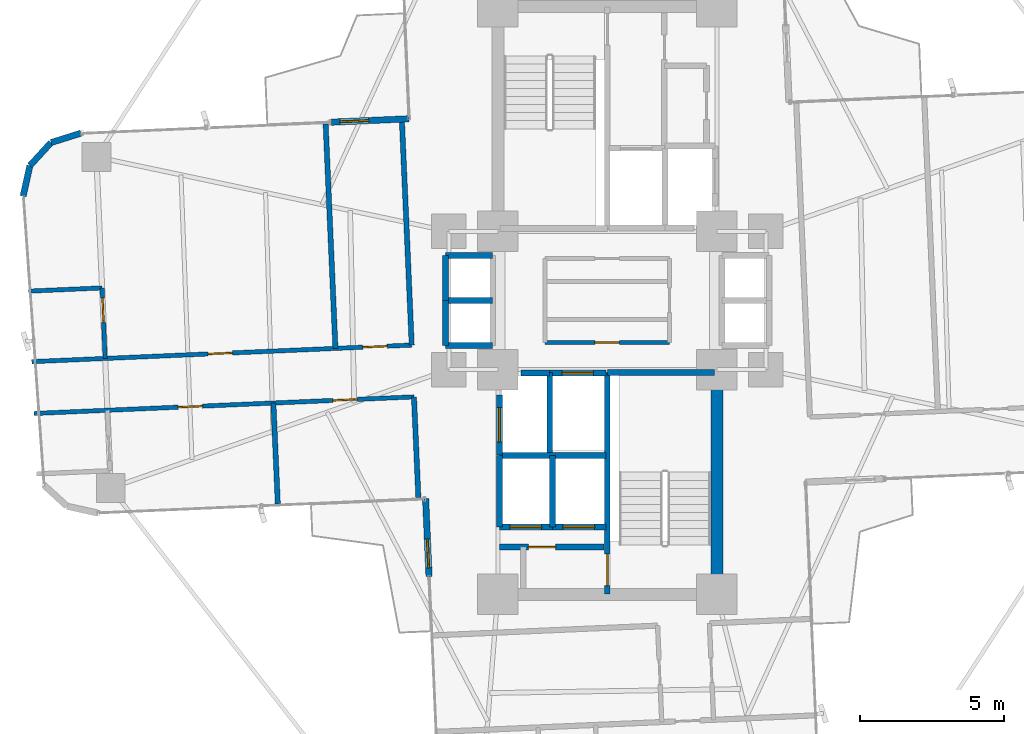
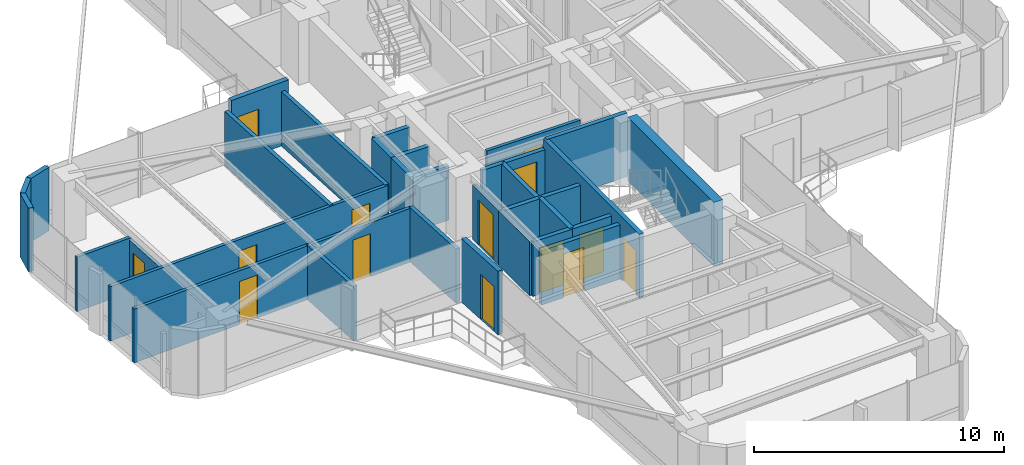
# One storey, part 23 of 26: 32 walls, 14 doors, 14 openings.
"""IFC4 building model written with IfcOpenShell, lengths in metres."""

from ifc_helpers import new_model, si_unit, direction, frame, frame_2d, origin, origin_2d, place, context, subcontext, project, spatial, rectangle, extrude, source, transform, mapped, material, layer, layer_set, type_object, element, fill, save


model = new_model("IFC4")

# Units and contexts
model_context = context("Model", 3, precision=1e-05, world=origin(), true_north=direction((0.0, 1.0)))
body_context = subcontext(model_context, "Body", "Model", "MODEL_VIEW")
ifc_project = project(units=[si_unit("LENGTHUNIT", "METRE"), si_unit("AREAUNIT", "SQUARE_METRE"), si_unit("VOLUMEUNIT", "CUBIC_METRE"), si_unit("PLANEANGLEUNIT", "RADIAN"), si_unit("MASSUNIT", "GRAM", prefix="KILO")], contexts=[model_context])

# Site, building, storey
site_placement = place(None, origin())
site = spatial("IfcSite", under=ifc_project, at=site_placement, CompositionType="ELEMENT")
building_placement = place(site_placement, origin())
building = spatial("IfcBuilding", under=site, at=building_placement, Name="Sahyath Konkavel Grand Hotel", CompositionType="ELEMENT")
storey_placement = place(building_placement, frame((0.0, 0.0, 124.85009765625)))
storey = spatial("IfcBuildingStorey", under=building, at=storey_placement, Name="L34", CompositionType="ELEMENT", Elevation=124.85009765625)

# Wall
ifc_material_1 = material(Name="Concrete C50/60", Category="concrete")
ifc_layer_1 = layer(ifc_material_1, 0.419921875)
ifc_layer_set_1 = layer_set([ifc_layer_1], Name="Concrete C50/60")
wall_type_1 = type_object("IfcWallType", Name="CWALL-420", PredefinedType="SHEAR", material=ifc_layer_set_1)
wall_1_placement = place(storey_placement, frame((3.800048828125, -9.75, 0.0), z_axis=(0.0, 0.0, 1.0), x_axis=(0.0, 1.0, 0.0)))
element("IfcWall", 1, at=wall_1_placement, inside=storey, type_object=wall_type_1, Name="L34 South Core Shear Wall E", PredefinedType="SHEAR", context=body_context, shape_type="SweptSolid", body=[
    extrude(rectangle(XDim=6.89990234375, YDim=0.419921875, at=frame_2d((3.449951171875, 0.0))), origin(), (0.0, 0.0, 1.0), 3.10986328125),
])

# Wall, opening, door
ifc_material_2 = material(Name="Warm Buff Sandstone Insulated Concrete C40/50", Category="masonry")
ifc_layer_2 = layer(ifc_material_2, 0.219970703125)
ifc_layer_set_2 = layer_set([ifc_layer_2], Name="Warm Buff Sandstone Insulated Concrete C40/50")
wall_type_2 = type_object("IfcWallType", Name="WLL-BALC-THRESH", PredefinedType="STANDARD", material=ifc_layer_set_2)
wall_2_placement = place(storey_placement, frame((-6.881591796875, 6.305908203125, 0.0), z_axis=(0.0, 0.0, 1.0), x_axis=(-0.999045894436, -0.043672655174, 0.0)))
wall_2 = element("IfcWall", 2, at=wall_2_placement, inside=storey, type_object=wall_type_2, Name="L34 Winter-Garden Threshold Wall 16", PredefinedType="STANDARD", context=body_context, shape_type="SweptSolid", body=[
    extrude(rectangle(XDim=2.7001953125, YDim=0.219970703125, at=frame_2d((1.35009765625, 0.0))), origin(), (0.0, 0.0, 1.0), 3.10986328125),
])
opening_1_placement = place(wall_2_placement, frame((1.39990234375, 0.0, 0.0)))
opening_1 = element("IfcOpeningElement", 3, at=opening_1_placement, cuts=wall_2, Name="Opening D-TR1", PredefinedType="OPENING", context=body_context, shape_type="SweptSolid", body=[
    extrude(rectangle(XDim=1.0, YDim=2.199951171875, at=frame_2d((0.5, 1.10009765625))), frame((0.0, 0.1201171875, 0.0), z_axis=(0.0, -1.0, 0.0), x_axis=(1.0, 0.0, 0.0)), (0.0, 0.0, 1.0), 0.239990234375),
])
ifc_material_3 = material(Name="Anodised Bronze Aluminium & Low-E Glazing", Category="aluminium")
door_type_1 = type_object("IfcDoorType", Name="DR-TERRACE-1000", OperationType="NOTDEFINED", PredefinedType="DOOR", material=ifc_material_3)
shared_shape_1 = source(origin(), body_context, "Body", "SweptSolid", [
    extrude(rectangle(XDim=1.0, YDim=0.050048828125, at=origin_2d()), origin(), (0.0, 0.0, 1.0), 2.199951171875),
])
door_1_placement = place(opening_1_placement, frame((0.5, 0.0, 0.0)))
door_1 = element("IfcDoor", 4, at=door_1_placement, inside=storey, type_object=door_type_1, Name="L34 Winter-Garden Terrace Door 16", OperationType="SINGLE_SWING_LEFT", OverallHeight=2.199951171875, OverallWidth=1.0, PredefinedType="DOOR", context=body_context, shape_type="MappedRepresentation", body=[
    mapped(shared_shape_1, transform((0.0, 0.0, 0.0), scale=1.0)),
])
fill(opening_1, door_1)

# Walls
for number, where, z_axis, x_axis, name in (
    (5, (-18.270751953125, 5.80859375, 0.0), (0.0, 0.0, 1.0), (-0.953721713582, -0.30069069331, 0.0), "L34 Rounded Corner Sandstone Pier 17"),
    (6, (-19.3076171875, 5.481689453125, 0.0), (0.0, 0.0, 1.0), (-0.675551721847, -0.737312600672, 0.0), "L34 Rounded Corner Sandstone Pier 18"),
):
    element("IfcWall", number, at=place(storey_placement, frame(where, z_axis=z_axis, x_axis=x_axis)), inside=storey, type_object=wall_type_2, Name=name, PredefinedType="STANDARD", context=body_context, shape_type="SweptSolid", body=[
        extrude(rectangle(XDim=1.087158203125, YDim=0.219970703125, at=frame_2d((0.54345703125, 0.0))), origin(), (0.0, 0.0, 1.0), 3.10986328125),
    ])
wall_3_placement = place(storey_placement, frame((-20.0419921875, 4.68017578125, 0.0), z_axis=(0.0, 0.0, 1.0), x_axis=(-0.216288323511, -0.976329535102, 0.0)))
element("IfcWall", 7, at=wall_3_placement, inside=storey, type_object=wall_type_2, Name="L34 Rounded Corner Sandstone Pier 19", PredefinedType="STANDARD", context=body_context, shape_type="SweptSolid", body=[
    extrude(rectangle(XDim=1.0869140625, YDim=0.219970703125, at=frame_2d((0.54345703125, 0.0))), origin(), (0.0, 0.0, 1.0), 3.10986328125),
])

# Wall, opening, door
wall_4_placement = place(storey_placement, frame((-6.305908203125, -6.881591796875, 0.0), z_axis=(0.0, 0.0, 1.0), x_axis=(0.043672655174, -0.999045894436, 0.0)))
wall_4 = element("IfcWall", 8, at=wall_4_placement, inside=storey, type_object=wall_type_2, Name="L34 Winter-Garden Threshold Wall 24", PredefinedType="STANDARD", context=body_context, shape_type="SweptSolid", body=[
    extrude(rectangle(XDim=2.7001953125, YDim=0.219970703125, at=frame_2d((1.35009765625, 0.0))), origin(), (0.0, 0.0, 1.0), 3.10986328125),
])
opening_2_placement = place(wall_4_placement, frame((1.39990234375, 0.0, 0.0)))
opening_2 = element("IfcOpeningElement", 9, at=opening_2_placement, cuts=wall_4, Name="Opening D-TR1", PredefinedType="OPENING", context=body_context, shape_type="SweptSolid", body=[
    extrude(rectangle(XDim=1.0, YDim=2.199951171875, at=frame_2d((0.5, 1.10009765625))), frame((0.0, 0.1201171875, 0.0), z_axis=(0.0, -1.0, 0.0), x_axis=(1.0, 0.0, 0.0)), (0.0, 0.0, 1.0), 0.239990234375),
])
door_2_placement = place(opening_2_placement, frame((0.5, 0.0, 0.0)))
door_2 = element("IfcDoor", 10, at=door_2_placement, inside=storey, type_object=door_type_1, Name="L34 Winter-Garden Terrace Door 24", OperationType="SINGLE_SWING_LEFT", OverallHeight=2.199951171875, OverallWidth=1.0, PredefinedType="DOOR", context=body_context, shape_type="MappedRepresentation", body=[
    mapped(shared_shape_1, transform((0.0, 0.0, 0.0), scale=1.0)),
])
fill(opening_2, door_2)

ifc_material_4 = material(Name="Concrete C40/50", Category="concrete")
ifc_layer_3 = layer(ifc_material_4, 0.199951171875)
ifc_layer_set_3 = layer_set([ifc_layer_3], Name="Concrete C40/50")
wall_type_3 = type_object("IfcWallType", Name="WLL-CORE-200", PredefinedType="SOLIDWALL", material=ifc_layer_set_3)
wall_5_placement = place(storey_placement, frame((0.0, -10.179931640625, 0.0), z_axis=(0.0, 0.0, 1.0), x_axis=(0.0, 1.0, 0.0)))
wall_5 = element("IfcWall", 11, at=wall_5_placement, inside=storey, type_object=wall_type_3, Name="L34 Stair ST-2 Shaft Wall W", PredefinedType="SOLIDWALL", context=body_context, shape_type="SweptSolid", body=[
    extrude(rectangle(XDim=7.679931640625, YDim=0.199951171875, at=frame_2d((3.83984375, 0.0))), origin(), (0.0, 0.0, 1.0), 3.10986328125),
])
opening_3_placement = place(wall_5_placement, frame((0.280029296875, 0.0, 0.0)))
opening_3 = element("IfcOpeningElement", 12, at=opening_3_placement, cuts=wall_5, Name="Opening D-F12B", PredefinedType="OPENING", context=body_context, shape_type="SweptSolid", body=[
    extrude(rectangle(XDim=1.10009765625, YDim=2.14990234375, at=frame_2d((0.550048828125, 1.074951171875))), frame((0.0, 0.10986328125, 0.0), z_axis=(0.0, -1.0, 0.0), x_axis=(1.0, 0.0, 0.0)), (0.0, 0.0, 1.0), 0.219970703125),
])
ifc_material_5 = material(Name="Steel E350 Smokeproof Fire Door", Category="steel")
door_type_2 = type_object("IfcDoorType", Name="DR-FD120-1100", OperationType="NOTDEFINED", PredefinedType="DOOR", material=ifc_material_5)
shared_shape_2 = source(origin(), body_context, "Body", "SweptSolid", [
    extrude(rectangle(XDim=1.10009765625, YDim=0.050048828125, at=origin_2d()), origin(), (0.0, 0.0, 1.0), 2.14990234375),
])
door_3_placement = place(opening_3_placement, frame((0.550048828125, 0.0, 0.0)))
door_3 = element("IfcDoor", 13, at=door_3_placement, inside=storey, type_object=door_type_2, Name="L34 Stair ST-2 Fire Door", OperationType="SINGLE_SWING_LEFT", OverallHeight=2.14990234375, OverallWidth=1.10009765625, PredefinedType="DOOR", context=body_context, shape_type="MappedRepresentation", body=[
    mapped(shared_shape_2, transform((0.0, 0.0, 0.0), scale=1.0)),
])
fill(opening_3, door_3)

# Walls
wall_6_placement = place(storey_placement, frame((0.0, -2.5, 0.0), z_axis=(0.0, 0.0, 1.0), x_axis=(1.0, 0.0, 0.0)))
element("IfcWall", 14, at=wall_6_placement, inside=storey, type_object=wall_type_3, Name="L34 Stair ST-2 Shaft Wall N", PredefinedType="SOLIDWALL", context=body_context, shape_type="SweptSolid", body=[
    extrude(rectangle(XDim=3.719970703125, YDim=0.199951171875, at=frame_2d((1.85986328125, 0.0))), origin(), (0.0, 0.0, 1.0), 3.10986328125),
])
wall_7_placement = place(storey_placement, frame((-2.0, -5.280029296875, 0.0), z_axis=(0.0, 0.0, 1.0), x_axis=(0.0, 1.0, 0.0)))
element("IfcWall", 15, at=wall_7_placement, inside=storey, type_object=wall_type_3, Name="L34 Partition SH-FFL2-W", PredefinedType="SOLIDWALL", context=body_context, shape_type="SweptSolid", body=[
    extrude(rectangle(XDim=2.780029296875, YDim=0.199951171875, at=frame_2d((1.39013671875, 0.0))), origin(), (0.0, 0.0, 1.0), 2.659912109375),
])

# Wall, opening, door
wall_8_placement = place(storey_placement, frame((-2.0, -2.52001953125, 0.0), z_axis=(0.0, 0.0, 1.0), x_axis=(1.0, 0.0, 0.0)))
wall_8 = element("IfcWall", 16, at=wall_8_placement, inside=storey, type_object=wall_type_3, Name="L34 Partition SH-FFL2-N", PredefinedType="SOLIDWALL", context=body_context, shape_type="SweptSolid", body=[
    extrude(rectangle(XDim=1.949951171875, YDim=0.199951171875, at=frame_2d((0.97509765625, 0.0))), origin(), (0.0, 0.0, 1.0), 2.659912109375),
])
opening_4_placement = place(wall_8_placement, frame((0.419921875, 0.0, 0.0)))
opening_4 = element("IfcOpeningElement", 17, at=opening_4_placement, cuts=wall_8, Name="Opening LD-11", PredefinedType="OPENING", context=body_context, shape_type="SweptSolid", body=[
    extrude(rectangle(XDim=1.10009765625, YDim=2.199951171875, at=frame_2d((0.550048828125, 1.10009765625))), frame((0.0, 0.10986328125, 0.0), z_axis=(0.0, -1.0, 0.0), x_axis=(1.0, 0.0, 0.0)), (0.0, 0.0, 1.0), 0.219970703125),
])
ifc_material_6 = material(Name="Bronze Lift Landing Door 1100")
door_type_3 = type_object("IfcDoorType", Name="DR-LIFT-1100", OperationType="DOUBLE_DOOR_SLIDING", PredefinedType="DOOR", material=ifc_material_6)
shared_shape_3 = source(origin(), body_context, "Body", "SweptSolid", [
    extrude(rectangle(XDim=1.10009765625, YDim=0.050048828125, at=origin_2d()), origin(), (0.0, 0.0, 1.0), 2.199951171875),
])
door_4_placement = place(opening_4_placement, frame((0.550048828125, 0.0, 0.0)))
door_4 = element("IfcDoor", 18, at=door_4_placement, inside=storey, type_object=door_type_3, Name="L34 Lift FFL-2 Landing Door", OperationType="DOUBLE_DOOR_SLIDING", OverallHeight=2.199951171875, OverallWidth=1.10009765625, PredefinedType="DOOR", context=body_context, shape_type="MappedRepresentation", body=[
    mapped(shared_shape_3, transform((0.0, 0.0, 0.0), scale=1.0)),
])
fill(opening_4, door_4)

# Wall
wall_9_placement = place(storey_placement, frame((-3.0, -2.52001953125, 0.0), z_axis=(0.0, 0.0, 1.0), x_axis=(1.0, 0.0, 0.0)))
element("IfcWall", 19, at=wall_9_placement, inside=storey, type_object=wall_type_3, Name="L34 Partition SH-SVL2-N", PredefinedType="SOLIDWALL", context=body_context, shape_type="SweptSolid", body=[
    extrude(rectangle(XDim=1.0, YDim=0.199951171875, at=frame_2d((0.5, 0.0))), origin(), (0.0, 0.0, 1.0), 2.659912109375),
])

# Wall, opening, door
wall_10_placement = place(storey_placement, frame((-3.739990234375, -5.360107421875, 0.0), z_axis=(0.0, 0.0, 1.0), x_axis=(0.0, 1.0, 0.0)))
wall_10 = element("IfcWall", 20, at=wall_10_placement, inside=storey, type_object=wall_type_3, Name="L34 Partition SH-SVL2-W", PredefinedType="SOLIDWALL", context=body_context, shape_type="SweptSolid", body=[
    extrude(rectangle(XDim=2.080078125, YDim=0.199951171875, at=frame_2d((1.0400390625, 0.0))), origin(), (0.0, 0.0, 1.0), 2.659912109375),
])
opening_5_placement = place(wall_10_placement, frame((0.43994140625, 0.0, 0.0)))
opening_5 = element("IfcOpeningElement", 21, at=opening_5_placement, cuts=wall_10, Name="Opening LD-12", PredefinedType="OPENING", context=body_context, shape_type="SweptSolid", body=[
    extrude(rectangle(XDim=1.199951171875, YDim=2.199951171875, at=frame_2d((0.60009765625, 1.10009765625))), frame((0.0, 0.10986328125, 0.0), z_axis=(0.0, -1.0, 0.0), x_axis=(1.0, 0.0, 0.0)), (0.0, 0.0, 1.0), 0.219970703125),
])
ifc_material_7 = material(Name="Stainless Steel Lift Landing Door 1200", Category="steel")
door_type_4 = type_object("IfcDoorType", Name="DR-LIFT-1200", OperationType="DOUBLE_DOOR_SLIDING", PredefinedType="DOOR", material=ifc_material_7)
shared_shape_4 = source(origin(), body_context, "Body", "SweptSolid", [
    extrude(rectangle(XDim=1.199951171875, YDim=0.050048828125, at=origin_2d()), origin(), (0.0, 0.0, 1.0), 2.199951171875),
])
door_5_placement = place(opening_5_placement, frame((0.60009765625, 0.0, 0.0)))
door_5 = element("IfcDoor", 22, at=door_5_placement, inside=storey, type_object=door_type_4, Name="L34 Service Lift SVL-2 Landing Door", OperationType="DOUBLE_DOOR_SLIDING", OverallHeight=2.199951171875, OverallWidth=1.199951171875, PredefinedType="DOOR", context=body_context, shape_type="MappedRepresentation", body=[
    mapped(shared_shape_4, transform((0.0, 0.0, 0.0), scale=1.0)),
])
fill(opening_5, door_5)

# Wall
wall_11_placement = place(storey_placement, frame((-3.739990234375, -7.860107421875, 0.0), z_axis=(0.0, 0.0, 1.0), x_axis=(0.0, 1.0, 0.0)))
element("IfcWall", 23, at=wall_11_placement, inside=storey, type_object=wall_type_3, Name="L34 Partition SH-PL3-W", PredefinedType="SOLIDWALL", context=body_context, shape_type="SweptSolid", body=[
    extrude(rectangle(XDim=2.480224609375, YDim=0.199951171875, at=frame_2d((1.240234375, 0.0))), origin(), (0.0, 0.0, 1.0), 2.659912109375),
])

# Wall, opening, door
wall_12_placement = place(storey_placement, frame((-3.739990234375, -7.860107421875, 0.0), z_axis=(0.0, 0.0, 1.0), x_axis=(1.0, 0.0, 0.0)))
wall_12 = element("IfcWall", 24, at=wall_12_placement, inside=storey, type_object=wall_type_3, Name="L34 Partition SH-PL3-S", PredefinedType="SOLIDWALL", context=body_context, shape_type="SweptSolid", body=[
    extrude(rectangle(XDim=1.840087890625, YDim=0.199951171875, at=frame_2d((0.919921875, 0.0))), origin(), (0.0, 0.0, 1.0), 2.659912109375),
])
opening_6_placement = place(wall_12_placement, frame((0.360107421875, 0.0, 0.0)))
opening_6 = element("IfcOpeningElement", 25, at=opening_6_placement, cuts=wall_12, Name="Opening LD-11", PredefinedType="OPENING", context=body_context, shape_type="SweptSolid", body=[
    extrude(rectangle(XDim=1.10009765625, YDim=2.199951171875, at=frame_2d((0.550048828125, 1.10009765625))), frame((0.0, 0.10986328125, 0.0), z_axis=(0.0, -1.0, 0.0), x_axis=(1.0, 0.0, 0.0)), (0.0, 0.0, 1.0), 0.219970703125),
])
door_6_placement = place(opening_6_placement, frame((0.550048828125, 0.0, 0.0)))
door_6 = element("IfcDoor", 26, at=door_6_placement, inside=storey, type_object=door_type_3, Name="L34 Passenger Lift PL-3 Landing Door", OperationType="DOUBLE_DOOR_SLIDING", OverallHeight=2.199951171875, OverallWidth=1.10009765625, PredefinedType="DOOR", context=body_context, shape_type="MappedRepresentation", body=[
    mapped(shared_shape_3, transform((0.0, 0.0, 0.0), scale=1.0)),
])
fill(opening_6, door_6)

# Walls
wall_13_placement = place(storey_placement, frame((-3.739990234375, -5.3798828125, 0.0), z_axis=(0.0, 0.0, 1.0), x_axis=(1.0, 0.0, 0.0)))
element("IfcWall", 27, at=wall_13_placement, inside=storey, type_object=wall_type_3, Name="L34 Partition SH-PL34-N", PredefinedType="SOLIDWALL", context=body_context, shape_type="SweptSolid", body=[
    extrude(rectangle(XDim=3.68994140625, YDim=0.199951171875, at=frame_2d((1.844970703125, 0.0))), origin(), (0.0, 0.0, 1.0), 2.659912109375),
])
wall_14_placement = place(storey_placement, frame((-1.89990234375, -7.860107421875, 0.0), z_axis=(0.0, 0.0, 1.0), x_axis=(0.0, 1.0, 0.0)))
element("IfcWall", 28, at=wall_14_placement, inside=storey, type_object=wall_type_3, Name="L34 Partition SH-PL34-M", PredefinedType="SOLIDWALL", context=body_context, shape_type="SweptSolid", body=[
    extrude(rectangle(XDim=2.480224609375, YDim=0.199951171875, at=frame_2d((1.240234375, 0.0))), origin(), (0.0, 0.0, 1.0), 2.659912109375),
])

# Wall, opening, door
wall_15_placement = place(storey_placement, frame((-1.89990234375, -7.860107421875, 0.0), z_axis=(0.0, 0.0, 1.0), x_axis=(1.0, 0.0, 0.0)))
wall_15 = element("IfcWall", 29, at=wall_15_placement, inside=storey, type_object=wall_type_3, Name="L34 Partition SH-PL4-S", PredefinedType="SOLIDWALL", context=body_context, shape_type="SweptSolid", body=[
    extrude(rectangle(XDim=1.849853515625, YDim=0.199951171875, at=frame_2d((0.9248046875, 0.0))), origin(), (0.0, 0.0, 1.0), 2.659912109375),
])
opening_7_placement = place(wall_15_placement, frame((0.360107421875, 0.0, 0.0)))
opening_7 = element("IfcOpeningElement", 30, at=opening_7_placement, cuts=wall_15, Name="Opening LD-11", PredefinedType="OPENING", context=body_context, shape_type="SweptSolid", body=[
    extrude(rectangle(XDim=1.10009765625, YDim=2.199951171875, at=frame_2d((0.550048828125, 1.10009765625))), frame((0.0, 0.10986328125, 0.0), z_axis=(0.0, -1.0, 0.0), x_axis=(1.0, 0.0, 0.0)), (0.0, 0.0, 1.0), 0.219970703125),
])
door_7_placement = place(opening_7_placement, frame((0.550048828125, 0.0, 0.0)))
door_7 = element("IfcDoor", 31, at=door_7_placement, inside=storey, type_object=door_type_3, Name="L34 Passenger Lift PL-4 Landing Door", OperationType="DOUBLE_DOOR_SLIDING", OverallHeight=2.199951171875, OverallWidth=1.10009765625, PredefinedType="DOOR", context=body_context, shape_type="MappedRepresentation", body=[
    mapped(shared_shape_3, transform((0.0, 0.0, 0.0), scale=1.0)),
])
fill(opening_7, door_7)

# Walls
for number, where, z_axis, x_axis, name in (
    (32, (-5.6201171875, 1.56005859375, 0.0), (0.0, 0.0, 1.0), (1.0, 0.0, 0.0), "L34 Partition SH-SL12-N"),
    (33, (-5.6201171875, -1.56005859375, 0.0), (0.0, 0.0, 1.0), (1.0, 0.0, 0.0), "L34 Partition SH-SL12-S"),
    (34, (-5.6201171875, 0.0, 0.0), (0.0, 0.0, 1.0), (1.0, 0.0, 0.0), "L34 Partition SH-SL12-M"),
):
    element("IfcWall", number, at=place(storey_placement, frame(where, z_axis=z_axis, x_axis=x_axis)), inside=storey, type_object=wall_type_3, Name=name, PredefinedType="SOLIDWALL", context=body_context, shape_type="SweptSolid", body=[
        extrude(rectangle(XDim=1.64013671875, YDim=0.199951171875, at=frame_2d((0.820068359375, 0.0))), origin(), (0.0, 0.0, 1.0), 2.659912109375),
    ])
for number, where, z_axis, x_axis, name in (
    (35, (-5.6201171875, 0.0, 0.0), (0.0, 0.0, 1.0), (0.0, 1.0, 0.0), "L34 Partition SH-SL1-W"),
    (36, (-5.6201171875, -1.56005859375, 0.0), (0.0, 0.0, 1.0), (0.0, 1.0, 0.0), "L34 Partition SH-SL2-W"),
):
    element("IfcWall", number, at=place(storey_placement, frame(where, z_axis=z_axis, x_axis=x_axis)), inside=storey, type_object=wall_type_3, Name=name, PredefinedType="SOLIDWALL", context=body_context, shape_type="SweptSolid", body=[
        extrude(rectangle(XDim=1.56005859375, YDim=0.199951171875, at=frame_2d((0.780029296875, 0.0))), origin(), (0.0, 0.0, 1.0), 2.659912109375),
    ])

# Wall, opening, door
wall_16_placement = place(storey_placement, frame((-3.739990234375, -8.56005859375, 0.0), z_axis=(0.0, 0.0, 1.0), x_axis=(1.0, 0.0, 0.0)))
wall_16 = element("IfcWall", 37, at=wall_16_placement, inside=storey, type_object=wall_type_3, Name="L34 South FF Lobby Separation Wall", PredefinedType="SOLIDWALL", context=body_context, shape_type="SweptSolid", body=[
    extrude(rectangle(XDim=3.619873046875, YDim=0.199951171875, at=frame_2d((1.81005859375, 0.0))), origin(), (0.0, 0.0, 1.0), 2.659912109375),
])
opening_8_placement = place(wall_16_placement, frame((1.0, 0.0, 0.0)))
opening_8 = element("IfcOpeningElement", 38, at=opening_8_placement, cuts=wall_16, Name="Opening D-F12C", PredefinedType="OPENING", context=body_context, shape_type="SweptSolid", body=[
    extrude(rectangle(XDim=0.949951171875, YDim=2.14990234375, at=frame_2d((0.47509765625, 1.074951171875))), frame((0.0, 0.10986328125, 0.0), z_axis=(0.0, -1.0, 0.0), x_axis=(1.0, 0.0, 0.0)), (0.0, 0.0, 1.0), 0.219970703125),
])
ifc_material_8 = material(Name="Steel E350 Plant Fire Door", Category="steel")
door_type_5 = type_object("IfcDoorType", Name="DR-FD120-950", OperationType="NOTDEFINED", PredefinedType="DOOR", material=ifc_material_8)
shared_shape_5 = source(origin(), body_context, "Body", "SweptSolid", [
    extrude(rectangle(XDim=0.949951171875, YDim=0.050048828125, at=origin_2d()), origin(), (0.0, 0.0, 1.0), 2.14990234375),
])
door_8_placement = place(opening_8_placement, frame((0.47509765625, 0.0, 0.0)))
door_8 = element("IfcDoor", 39, at=door_8_placement, inside=storey, type_object=door_type_5, Name="L34 South Firefighting Lobby Door", OperationType="SINGLE_SWING_RIGHT", OverallHeight=2.14990234375, OverallWidth=0.949951171875, PredefinedType="DOOR", context=body_context, shape_type="MappedRepresentation", body=[
    mapped(shared_shape_5, transform((0.0, 0.0, 0.0), scale=1.0)),
])
fill(opening_8, door_8)

# Walls
ifc_material_9 = material(Name="Twin-Stud Acoustic Gypsum Plasterboard Partition")
ifc_layer_4 = layer(ifc_material_9, 0.179931640625)
ifc_layer_set_4 = layer_set([ifc_layer_4], Name="Twin-Stud Acoustic Gypsum Plasterboard Partition")
wall_type_4 = type_object("IfcWallType", Name="WLL-DEMISE-180", PredefinedType="PARTITIONING", material=ifc_layer_set_4)
wall_17_placement = place(storey_placement, frame((-6.71044921875, -3.345947265625, 0.0), z_axis=(0.0, 0.0, 1.0), x_axis=(0.043597663116, -0.999049169846, 0.0)))
element("IfcWall", 40, at=wall_17_placement, inside=storey, type_object=wall_type_4, Name="L34 Partition W-INL", PredefinedType="PARTITIONING", context=body_context, shape_type="SweptSolid", body=[
    extrude(rectangle(XDim=3.5, YDim=0.179931640625, at=frame_2d((1.75, 0.0))), origin(), (0.0, 0.0, 1.0), 2.659912109375),
])
wall_18_placement = place(storey_placement, frame((-7.129150390625, 6.2451171875, 0.0), z_axis=(0.0, 0.0, 1.0), x_axis=(0.043600217373, -0.999049058378, 0.0)))
element("IfcWall", 41, at=wall_18_placement, inside=storey, type_object=wall_type_4, Name="L34 Partition W-INR", PredefinedType="PARTITIONING", context=body_context, shape_type="SweptSolid", body=[
    extrude(rectangle(XDim=7.800048828125, YDim=0.179931640625, at=frame_2d((3.89990234375, 0.0))), origin(), (0.0, 0.0, 1.0), 2.659912109375),
])
wall_19_placement = place(storey_placement, frame((-11.58984375, -3.558837890625, 0.0), z_axis=(0.0, 0.0, 1.0), x_axis=(0.04366424353, -0.99904626211, 0.0)))
element("IfcWall", 42, at=wall_19_placement, inside=storey, type_object=wall_type_4, Name="L34 Partition W-W1L-DEM", PredefinedType="PARTITIONING", context=body_context, shape_type="SweptSolid", body=[
    extrude(rectangle(XDim=3.500244140625, YDim=0.179931640625, at=frame_2d((1.75, 0.0))), origin(), (0.0, 0.0, 1.0), 2.659912109375),
])
wall_20_placement = place(storey_placement, frame((-9.436279296875, -1.6630859375, 0.0), z_axis=(0.0, 0.0, 1.0), x_axis=(-0.043632821702, 0.999047634936, 0.0)))
element("IfcWall", 43, at=wall_20_placement, inside=storey, type_object=wall_type_4, Name="L34 Partition W-WHK-DEM", PredefinedType="PARTITIONING", context=body_context, shape_type="SweptSolid", body=[
    extrude(rectangle(XDim=7.7998046875, YDim=0.179931640625, at=frame_2d((3.89990234375, 0.0))), origin(), (0.0, 0.0, 1.0), 2.659912109375),
])

# Wall, opening, door
ifc_material_10 = material(Name="Fire-Rated Gypsum Plasterboard Partition")
ifc_layer_5 = layer(ifc_material_10, 0.14990234375)
ifc_layer_set_5 = layer_set([ifc_layer_5], Name="Fire-Rated Gypsum Plasterboard Partition")
wall_type_5 = type_object("IfcWallType", Name="WLL-PART-150", PredefinedType="PARTITIONING", material=ifc_layer_set_5)
wall_21_placement = place(storey_placement, frame((-2.159912109375, -1.4599609375, 0.0), z_axis=(0.0, 0.0, 1.0), x_axis=(1.0, 0.0, 0.0)))
wall_21 = element("IfcWall", 44, at=wall_21_placement, inside=storey, type_object=wall_type_5, Name="L34 Partition CC-2S", PredefinedType="PARTITIONING", context=body_context, shape_type="SweptSolid", body=[
    extrude(rectangle(XDim=4.31982421875, YDim=0.14990234375, at=frame_2d((2.159912109375, 0.0))), origin(), (0.0, 0.0, 1.0), 2.659912109375),
])
opening_9_placement = place(wall_21_placement, frame((1.72998046875, 0.0, 0.0)))
opening_9 = element("IfcOpeningElement", 45, at=opening_9_placement, cuts=wall_21, Name="Opening D-F06D", PredefinedType="OPENING", context=body_context, shape_type="SweptSolid", body=[
    extrude(rectangle(XDim=0.85009765625, YDim=2.10009765625, at=frame_2d((0.425048828125, 1.050048828125))), frame((0.0, 0.0849609375, 0.0), z_axis=(0.0, -1.0, 0.0), x_axis=(1.0, 0.0, 0.0)), (0.0, 0.0, 1.0), 0.169921875),
])
ifc_material_11 = material(Name="Fire-Rated Shaft Access Door")
door_type_6 = type_object("IfcDoorType", Name="DR-FD60-850", OperationType="NOTDEFINED", PredefinedType="DOOR", material=ifc_material_11)
shared_shape_6 = source(origin(), body_context, "Body", "SweptSolid", [
    extrude(rectangle(XDim=0.85009765625, YDim=0.050048828125, at=origin_2d()), origin(), (0.0, 0.0, 1.0), 2.10009765625),
])
door_9_placement = place(opening_9_placement, frame((0.425048828125, 0.0, 0.0)))
door_9 = element("IfcDoor", 46, at=door_9_placement, inside=storey, type_object=door_type_6, Name="L34 Door CC-D2C", OperationType="SINGLE_SWING_RIGHT", OverallHeight=2.10009765625, OverallWidth=0.85009765625, PredefinedType="DOOR", context=body_context, shape_type="MappedRepresentation", body=[
    mapped(shared_shape_6, transform((0.0, 0.0, 0.0), scale=1.0)),
])
fill(opening_9, door_9)

# Wall, openings, doors
wall_22_placement = place(storey_placement, frame((-6.71044921875, -3.345947265625, 0.0), z_axis=(0.0, 0.0, 1.0), x_axis=(-0.999048535483, -0.04361219725, 0.0)))
wall_22 = element("IfcWall", 47, at=wall_22_placement, inside=storey, type_object=wall_type_5, Name="L34 Partition W-CL", PredefinedType="PARTITIONING", context=body_context, shape_type="SweptSolid", body=[
    extrude(rectangle(XDim=13.199951171875, YDim=0.14990234375, at=frame_2d((6.60009765625, 0.0))), origin(), (0.0, 0.0, 1.0), 2.6298828125),
])
opening_10_placement = place(wall_22_placement, frame((1.967041015625, 0.0, 0.0)))
opening_10 = element("IfcOpeningElement", 48, at=opening_10_placement, cuts=wall_22, Name="Opening D-F06D", PredefinedType="OPENING", context=body_context, shape_type="SweptSolid", body=[
    extrude(rectangle(XDim=0.85009765625, YDim=2.10009765625, at=frame_2d((0.425048828125, 1.050048828125))), frame((0.0, 0.0849609375, 0.0), z_axis=(0.0, -1.0, 0.0), x_axis=(1.0, 0.0, 0.0)), (0.0, 0.0, 1.0), 0.169921875),
])
opening_11_placement = place(wall_22_placement, frame((7.342041015625, 0.0, 0.0)))
opening_11 = element("IfcOpeningElement", 49, at=opening_11_placement, cuts=wall_22, Name="Opening D-F06D", PredefinedType="OPENING", context=body_context, shape_type="SweptSolid", body=[
    extrude(rectangle(XDim=0.85009765625, YDim=2.10009765625, at=frame_2d((0.425048828125, 1.050048828125))), frame((0.0, 0.0849609375, 0.0), z_axis=(0.0, -1.0, 0.0), x_axis=(1.0, 0.0, 0.0)), (0.0, 0.0, 1.0), 0.169921875),
])
door_10_placement = place(opening_10_placement, frame((0.425048828125, 0.0, 0.0)))
door_10 = element("IfcDoor", 50, at=door_10_placement, inside=storey, type_object=door_type_6, Name="L34 Door W-W1L-D", OperationType="SINGLE_SWING_LEFT", OverallHeight=2.10009765625, OverallWidth=0.85009765625, PredefinedType="DOOR", context=body_context, shape_type="MappedRepresentation", body=[
    mapped(shared_shape_6, transform((0.0, 0.0, 0.0), scale=1.0)),
])
fill(opening_10, door_10)
door_11_placement = place(opening_11_placement, frame((0.425048828125, 0.0, 0.0)))
door_11 = element("IfcDoor", 51, at=door_11_placement, inside=storey, type_object=door_type_6, Name="L34 Door W-W2L-ED", OperationType="SINGLE_SWING_LEFT", OverallHeight=2.10009765625, OverallWidth=0.85009765625, PredefinedType="DOOR", context=body_context, shape_type="MappedRepresentation", body=[
    mapped(shared_shape_6, transform((0.0, 0.0, 0.0), scale=1.0)),
])
fill(opening_11, door_11)

wall_23_placement = place(storey_placement, frame((-6.7890625, -1.547607421875, 0.0), z_axis=(0.0, 0.0, 1.0), x_axis=(-0.999048500303, -0.043613003123, 0.0)))
wall_23 = element("IfcWall", 52, at=wall_23_placement, inside=storey, type_object=wall_type_5, Name="L34 Partition W-CR", PredefinedType="PARTITIONING", context=body_context, shape_type="SweptSolid", body=[
    extrude(rectangle(XDim=13.19970703125, YDim=0.14990234375, at=frame_2d((6.599853515625, 0.0))), origin(), (0.0, 0.0, 1.0), 2.659912109375),
])
opening_12_placement = place(wall_23_placement, frame((0.85009765625, 0.0, 0.0)))
opening_12 = element("IfcOpeningElement", 53, at=opening_12_placement, cuts=wall_23, Name="Opening D-F06D", PredefinedType="OPENING", context=body_context, shape_type="SweptSolid", body=[
    extrude(rectangle(XDim=0.85009765625, YDim=2.10009765625, at=frame_2d((0.425048828125, 1.050048828125))), frame((0.0, 0.0849609375, 0.0), z_axis=(0.0, -1.0, 0.0), x_axis=(1.0, 0.0, 0.0)), (0.0, 0.0, 1.0), 0.169921875),
])
opening_13_placement = place(wall_23_placement, frame((6.22509765625, 0.0, 0.0)))
opening_13 = element("IfcOpeningElement", 54, at=opening_13_placement, cuts=wall_23, Name="Opening D-F06D", PredefinedType="OPENING", context=body_context, shape_type="SweptSolid", body=[
    extrude(rectangle(XDim=0.85009765625, YDim=2.10009765625, at=frame_2d((0.425048828125, 1.050048828125))), frame((0.0, 0.0849609375, 0.0), z_axis=(0.0, -1.0, 0.0), x_axis=(1.0, 0.0, 0.0)), (0.0, 0.0, 1.0), 0.169921875),
])
door_12_placement = place(opening_12_placement, frame((0.425048828125, 0.0, 0.0)))
door_12 = element("IfcDoor", 55, at=door_12_placement, inside=storey, type_object=door_type_6, Name="L34 Door W-WHK-D", OperationType="SINGLE_SWING_RIGHT", OverallHeight=2.10009765625, OverallWidth=0.85009765625, PredefinedType="DOOR", context=body_context, shape_type="MappedRepresentation", body=[
    mapped(shared_shape_6, transform((0.0, 0.0, 0.0), scale=1.0)),
])
fill(opening_12, door_12)
door_13_placement = place(opening_13_placement, frame((0.425048828125, 0.0, 0.0)))
door_13 = element("IfcDoor", 56, at=door_13_placement, inside=storey, type_object=door_type_6, Name="L34 Door W-W2R-ED", OperationType="SINGLE_SWING_RIGHT", OverallHeight=2.10009765625, OverallWidth=0.85009765625, PredefinedType="DOOR", context=body_context, shape_type="MappedRepresentation", body=[
    mapped(shared_shape_6, transform((0.0, 0.0, 0.0), scale=1.0)),
])
fill(opening_13, door_13)

# Wall, opening, door
wall_24_placement = place(storey_placement, frame((-17.4287109375, -2.01220703125, 0.0), z_axis=(0.0, 0.0, 1.0), x_axis=(-0.043644787072, 0.999047112283, 0.0)))
wall_24 = element("IfcWall", 57, at=wall_24_placement, inside=storey, type_object=wall_type_5, Name="L34 Partition W-W2R-BS", PredefinedType="PARTITIONING", context=body_context, shape_type="SweptSolid", body=[
    extrude(rectangle(XDim=2.4501953125, YDim=0.14990234375, at=frame_2d((1.22509765625, 0.0))), origin(), (0.0, 0.0, 1.0), 2.579833984375),
])
opening_14_placement = place(wall_24_placement, frame((1.25, 0.0, 0.0)))
opening_14 = element("IfcOpeningElement", 58, at=opening_14_placement, cuts=wall_24, Name="Opening D-BT85", PredefinedType="OPENING", context=body_context, shape_type="SweptSolid", body=[
    extrude(rectangle(XDim=0.85009765625, YDim=2.10009765625, at=frame_2d((0.425048828125, 1.050048828125))), frame((0.0, 0.0849609375, 0.0), z_axis=(0.0, -1.0, 0.0), x_axis=(1.0, 0.0, 0.0)), (0.0, 0.0, 1.0), 0.169921875),
])
ifc_material_12 = material(Name="Moisture-Resistant Teak Bathroom Door")
door_type_7 = type_object("IfcDoorType", Name="DR-BATH-850", OperationType="NOTDEFINED", PredefinedType="DOOR", material=ifc_material_12)
door_14_placement = place(opening_14_placement, frame((0.425048828125, 0.0, 0.0)))
door_14 = element("IfcDoor", 59, at=door_14_placement, inside=storey, type_object=door_type_7, Name="L34 Door W-W2R-BD", OperationType="SINGLE_SWING_LEFT", OverallHeight=2.10009765625, OverallWidth=0.85009765625, PredefinedType="DOOR", context=body_context, shape_type="MappedRepresentation", body=[
    mapped(shared_shape_6, transform((0.0, 0.0, 0.0), scale=1.0)),
])
fill(opening_14, door_14)

# Wall
wall_25_placement = place(storey_placement, frame((-17.53564453125, 0.435546875, 0.0), z_axis=(0.0, 0.0, 1.0), x_axis=(-0.999046560091, -0.043657425146, 0.0)))
element("IfcWall", 60, at=wall_25_placement, inside=storey, type_object=wall_type_5, Name="L34 Partition W-W2R-BF", PredefinedType="PARTITIONING", context=body_context, shape_type="SweptSolid", body=[
    extrude(rectangle(XDim=2.550048828125, YDim=0.14990234375, at=frame_2d((1.27490234375, 0.0))), origin(), (0.0, 0.0, 1.0), 2.659912109375),
])

save(model, "model.ifc")
